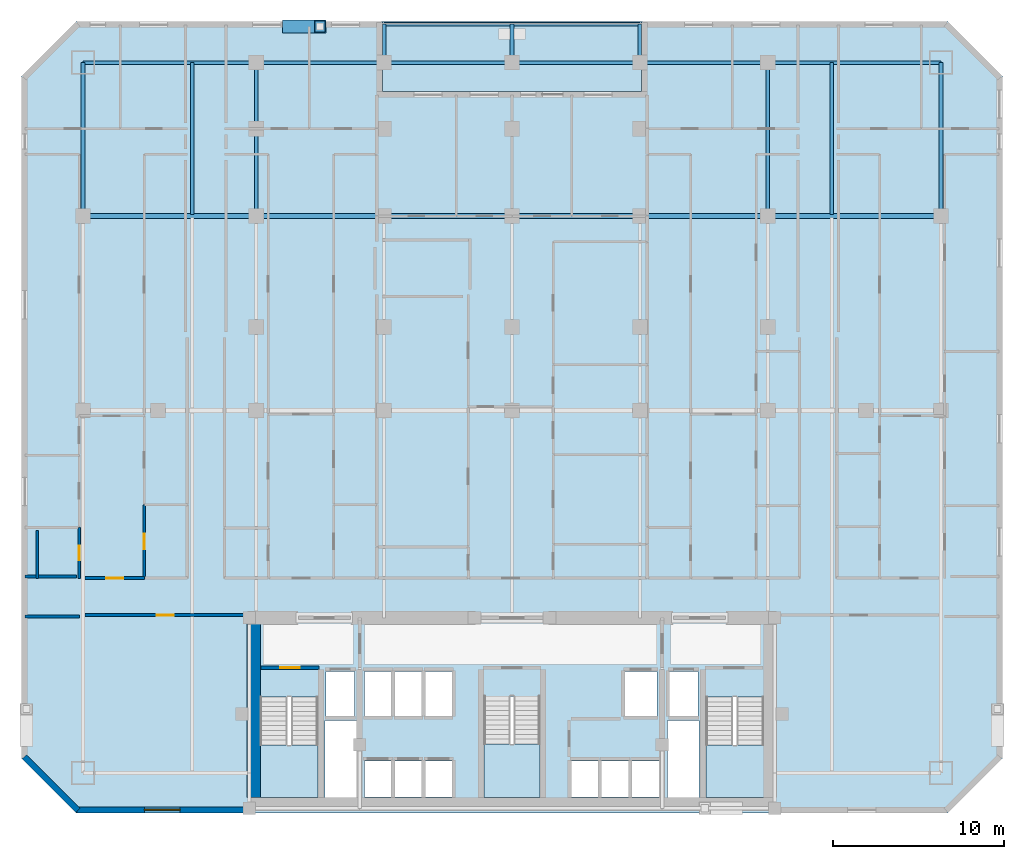
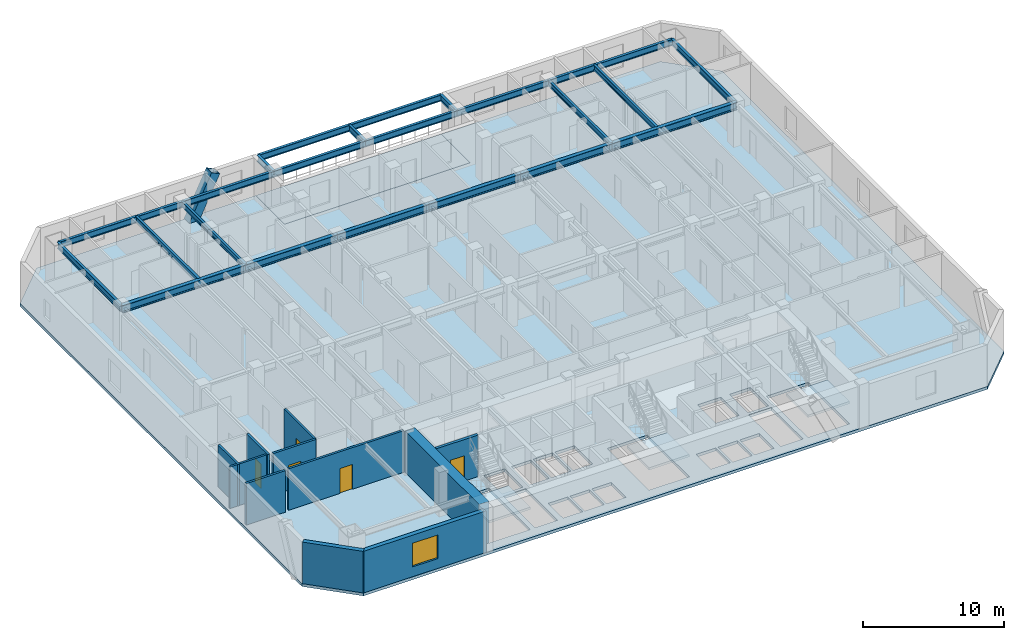
# One storey, part 2 of 10: 23 beams, 11 walls, 5 doors, 5 slabs, 1 member, 1 window, 6 openings, 3 elements without a shape of their own.
"""IFC4 building model written with IfcOpenShell, lengths in metres."""

import ifcopenshell
import ifcopenshell.guid

model = None  # the IFC model being written
_history = None  # IfcOwnerHistory: only IFC2X3 demands one
_inside = {}  # id of a spatial element -> (the spatial element, [elements in it])
_under = {}  # id of a project, library or spatial element -> (it, [spatial elements below it])
_declared = {}  # id of a project -> (the project, [libraries it declares])
_typed = {}  # id of a type object -> (the type object, [elements of that type])
_made_of = {}  # id of a material, layer set ... -> (it, [elements and type objects made of it])


def new_model(schema):
    """Start an empty IFC model of exactly this schema.

    Asked for "IFC4X3", IfcOpenShell would pick the latest addendum, in which some entities
    have other attributes; the version numbers below select the first issue.
    IFC2X3 requires an IfcOwnerHistory on every rooted entity: one is made here for all.
    """
    global model, _history
    if schema == "IFC4X3":
        model = ifcopenshell.file(schema_version=(4, 3, 0, 0))
    else:
        model = ifcopenshell.file(schema=schema)
    _inside.clear()
    _under.clear()
    _declared.clear()
    _typed.clear()
    _made_of.clear()
    _history = None
    if model.schema == "IFC2X3":
        org = make("IfcOrganization", Name="unknown")
        user = make(
            "IfcPersonAndOrganization",
            ThePerson=make("IfcPerson", FamilyName="unknown"),
            TheOrganization=org,
        )
        app = make(
            "IfcApplication",
            ApplicationDeveloper=org,
            Version="unknown",
            ApplicationFullName="unknown",
            ApplicationIdentifier="unknown",
        )
        _history = make(
            "IfcOwnerHistory",
            OwningUser=user,
            OwningApplication=app,
            ChangeAction="ADDED",
            CreationDate=0,
        )
    return model


def make(cls, **values):
    """One entity of the class cls with the attributes given. An attribute that is None is left unset."""
    return model.create_entity(
        cls, **{name: value for name, value in values.items() if value is not None}
    )


def rooted(cls, **values):
    """An entity with a GlobalId (a new one), such as an element, a storey or a relation."""
    return make(cls, GlobalId=ifcopenshell.guid.new(), OwnerHistory=_history, **values)


def si_unit(unit_type, name, prefix=None):
    """IfcSIUnit, for example si_unit("LENGTHUNIT", "METRE", prefix="MILLI")."""
    return make("IfcSIUnit", UnitType=unit_type, Prefix=prefix, Name=name)


def assignment(units):
    """IfcUnitAssignment: the units of a project."""
    return None if units is None else make("IfcUnitAssignment", Units=units)


def point(xyz):
    """IfcCartesianPoint."""
    return None if xyz is None else make("IfcCartesianPoint", Coordinates=xyz)


def direction(xyz):
    """IfcDirection."""
    return None if xyz is None else make("IfcDirection", DirectionRatios=xyz)


def frame(location, z_axis=None, x_axis=None):
    """IfcAxis2Placement3D, a coordinate frame: its origin and axes. An axis left out is left unset."""
    return make(
        "IfcAxis2Placement3D",
        Location=point(location),
        Axis=direction(z_axis),
        RefDirection=direction(x_axis),
    )


def frame_2d(location, x_axis=None):
    """IfcAxis2Placement2D, a coordinate frame in the plane: its origin and x axis."""
    return make(
        "IfcAxis2Placement2D", Location=point(location), RefDirection=direction(x_axis)
    )


def origin():
    """The frame at (0, 0, 0) with its axes left unset."""
    return frame((0.0, 0.0, 0.0))


def origin_2d():
    """The frame at (0, 0) in the plane with its x axis left unset."""
    return frame_2d((0.0, 0.0))


def place(relative_to, where):
    """IfcLocalPlacement: puts the frame where relative to a parent placement (None: the world)."""
    return make(
        "IfcLocalPlacement", PlacementRelTo=relative_to, RelativePlacement=where
    )


def context(
    kind, dimensions, precision=None, world=None, true_north=None, identifier=None
):
    """IfcGeometricRepresentationContext, for example the 3D "Model" context."""
    return make(
        "IfcGeometricRepresentationContext",
        ContextIdentifier=identifier,
        ContextType=kind,
        CoordinateSpaceDimension=dimensions,
        Precision=precision,
        WorldCoordinateSystem=world,
        TrueNorth=true_north,
    )


def subcontext(parent, identifier, kind, view, scale=None):
    """IfcGeometricRepresentationSubContext, for example "Body" below "Model"."""
    return make(
        "IfcGeometricRepresentationSubContext",
        ContextIdentifier=identifier,
        ContextType=kind,
        ParentContext=parent,
        TargetScale=scale,
        TargetView=view,
    )


def project(units=None, contexts=None):
    """IfcProject with its units and contexts."""
    return rooted(
        "IfcProject",
        Name="project",
        RepresentationContexts=contexts,
        UnitsInContext=assignment(units),
    )


def spatial(cls, under=None, at=None, **own):
    """A site, building, storey or space (cls), placed at a placement, below another one or the project."""
    s = rooted(cls, ObjectPlacement=at, **own)
    if under is not None:
        _under.setdefault(under.id(), (under, []))[1].append(s)
    return s


def polyline(points):
    """IfcPolyline through the points."""
    return make("IfcPolyline", Points=[point(p) for p in points])


def profile(cls, at=None, kind="AREA", **sizes):
    """A parametric profile (cls). Its sizes go by their IFC names, for example OverallWidth=200.0."""
    return make(cls, ProfileType=kind, Position=at, **sizes)


def rectangle(**sizes):
    """IfcRectangleProfileDef."""
    return profile("IfcRectangleProfileDef", **sizes)


def hollow_rectangle(**sizes):
    """IfcRectangleHollowProfileDef."""
    return profile("IfcRectangleHollowProfileDef", **sizes)


def i_section(**sizes):
    """IfcIShapeProfileDef."""
    return profile("IfcIShapeProfileDef", **sizes)


def outline(outer, holes=None, kind="AREA"):
    """IfcArbitraryClosedProfileDef: a profile drawn as a closed curve; with holes, ...WithVoids."""
    if holes is None:
        return make("IfcArbitraryClosedProfileDef", ProfileType=kind, OuterCurve=outer)
    return make(
        "IfcArbitraryProfileDefWithVoids",
        ProfileType=kind,
        OuterCurve=outer,
        InnerCurves=holes,
    )


def extrude(swept, where, along, depth):
    """IfcExtrudedAreaSolid: the profile swept, set in the frame where, extruded along a direction by depth."""
    return make(
        "IfcExtrudedAreaSolid",
        SweptArea=swept,
        Position=where,
        ExtrudedDirection=direction(along),
        Depth=depth,
    )


def shape(context_of_items, identifier, shape_type, items):
    """IfcShapeRepresentation: the items that make up one representation, for example the "Body"."""
    return make(
        "IfcShapeRepresentation",
        ContextOfItems=context_of_items,
        RepresentationIdentifier=identifier,
        RepresentationType=shape_type,
        Items=items,
    )


def material(Name=None, Category=None):
    """IfcMaterial."""
    return make("IfcMaterial", Name=Name, Category=Category)


def layer(
    of_material, thickness, ventilated=None, Name=None, Category=None, Priority=None
):
    """IfcMaterialLayer: one layer of a wall or slab, of a material (None: an air gap)."""
    return make(
        "IfcMaterialLayer",
        Material=of_material,
        LayerThickness=thickness,
        IsVentilated=ventilated,
        Name=Name,
        Category=Category,
        Priority=Priority,
    )


def layer_set(layers, Name=None):
    """IfcMaterialLayerSet."""
    return make("IfcMaterialLayerSet", MaterialLayers=layers, LayerSetName=Name)


def material_profile(
    of_material, cross_section, Name=None, Category=None, Priority=None
):
    """IfcMaterialProfile: a cross section and its material."""
    return make(
        "IfcMaterialProfile",
        Name=Name,
        Material=of_material,
        Profile=cross_section,
        Priority=Priority,
        Category=Category,
    )


def profile_set(profiles, Name=None, composite=None):
    """IfcMaterialProfileSet."""
    return make(
        "IfcMaterialProfileSet",
        Name=Name,
        MaterialProfiles=profiles,
        CompositeProfile=composite,
    )


def made_of(thing, what):
    """Note that an element or type object is made of a material, layer set ...; save() writes the relation."""
    if what is not None:
        _made_of.setdefault(what.id(), (what, []))[1].append(thing)
    return thing


def type_object(cls, material=None, **own):
    """A type object (cls), such as IfcWallType, which elements share."""
    return made_of(rooted(cls, **own), material)


def element(
    cls,
    number,
    at=None,
    inside=None,
    cuts=None,
    type_object=None,
    material=None,
    context=None,
    identifier="Body",
    shape_type=None,
    held_by="IfcProductDefinitionShape",
    body=None,
    shapes=None,
    **own,
):
    """One element of the class cls, such as IfcWall. Its Tag is "e" and its number.

    at: its placement. inside: the storey or other place that contains it. cuts: it is an
    opening in that element (IfcRelVoidsElement). A single representation is given by context,
    identifier, shape_type and body (its items); several are given by shapes. held_by: the class
    of the entity that holds the representations. save() writes the other relations.
    """
    e = rooted(cls, Tag="e%d" % number, ObjectPlacement=at, **own)
    if body is not None:
        shapes = [shape(context, identifier, shape_type, body)]
    if shapes is not None:
        e.Representation = make(held_by, Representations=shapes)
    if inside is not None:
        _inside.setdefault(inside.id(), (inside, []))[1].append(e)
    if cuts is not None:
        rooted(
            "IfcRelVoidsElement", RelatingBuildingElement=cuts, RelatedOpeningElement=e
        )
    if type_object is not None:
        _typed.setdefault(type_object.id(), (type_object, []))[1].append(e)
    return made_of(e, material)


def fill(opening, filler):
    """IfcRelFillsElement: the door or window that sits in an opening."""
    return rooted(
        "IfcRelFillsElement",
        RelatingOpeningElement=opening,
        RelatedBuildingElement=filler,
    )


def aggregate(whole, parts):
    """IfcRelAggregates: a whole, such as a stair, and the parts it consists of."""
    return rooted("IfcRelAggregates", RelatingObject=whole, RelatedObjects=parts)


def save(model, path):
    """Write the relations noted so far, then the file.

    IfcRelAggregates (storeys below a building ...), IfcRelContainedInSpatialStructure (elements
    in a storey), IfcRelDefinesByType, IfcRelAssociatesMaterial and IfcRelDeclares: one each for
    every whole, place, type object, material and project.
    """
    for whole, parts in _under.values():
        aggregate(whole, parts)
    for where, things in _inside.values():
        rooted(
            "IfcRelContainedInSpatialStructure",
            RelatedElements=things,
            RelatingStructure=where,
        )
    for kind, things in _typed.values():
        rooted("IfcRelDefinesByType", RelatedObjects=things, RelatingType=kind)
    for what, things in _made_of.values():
        rooted("IfcRelAssociatesMaterial", RelatedObjects=things, RelatingMaterial=what)
    for by, libraries in _declared.values():
        rooted("IfcRelDeclares", RelatingContext=by, RelatedDefinitions=libraries)
    model.write(path)


model = new_model("IFC4")

# Units and contexts
model_context = context("Model", 3, precision=1e-05, world=origin(), true_north=direction((0.0, 1.0)))
body_context = subcontext(model_context, "Body", "Model", "MODEL_VIEW")
ifc_project = project(units=[si_unit("LENGTHUNIT", "METRE"), si_unit("AREAUNIT", "SQUARE_METRE"), si_unit("VOLUMEUNIT", "CUBIC_METRE"), si_unit("PLANEANGLEUNIT", "RADIAN"), si_unit("MASSUNIT", "GRAM", prefix="KILO")], contexts=[model_context])

# Site, building, storey
site_placement = place(None, origin())
site = spatial("IfcSite", under=ifc_project, at=site_placement, CompositionType="ELEMENT")
building_placement = place(site_placement, origin())
building = spatial("IfcBuilding", under=site, at=building_placement, Name="Ventersveld Concourse Tower", CompositionType="ELEMENT")
storey_placement = place(building_placement, frame((0.0, 0.0, 64.449951171875)))
storey = spatial("IfcBuildingStorey", under=building, at=storey_placement, Name="L15", CompositionType="ELEMENT", Elevation=64.449951171875)

# Beams
ifc_material_1 = material(Name="Structural steel S355J2", Category="steel")
ifc_material_profile_1 = material_profile(ifc_material_1, i_section(OverallWidth=0.19140625, OverallDepth=0.4599609375, WebThickness=0.010009765625, FlangeThickness=0.01611328125, FilletRadius=0.01025390625, at=origin_2d()), Name="UB 457x191x82")
ifc_profile_set_1 = profile_set([ifc_material_profile_1], Name="Structural steel S355J2")
beam_type_1 = type_object("IfcBeamType", Name="BM-UB457H", PredefinedType="BEAM", material=ifc_profile_set_1)
beam_1_placement = place(storey_placement, frame((10.0, 35.094970703125, 3.3701171875), z_axis=(0.0, 1.0, 0.0), x_axis=(-1.0, 0.0, 0.0)))
element("IfcBeam", 1, at=beam_1_placement, inside=storey, type_object=beam_type_1, Name="L15 N-S Composite Floor Beam North X=10.00", PredefinedType="BEAM", context=body_context, shape_type="SweptSolid", body=[
    extrude(i_section(OverallWidth=0.19140625, OverallDepth=0.4599609375, WebThickness=0.010009765625, FlangeThickness=0.01611328125, FilletRadius=0.01025390625, at=origin_2d()), origin(), (0.0, 0.0, 1.0), 8.905029296875),
])
for number, where, z_axis, x_axis, name in (
    (2, (13.75, 35.0, 3.3701171875), (0.0, 1.0, 0.0), (-1.0, 0.0, 0.0), "L15 N-S Composite Floor Beam North X=13.75"),
    (3, (43.75, 35.0, 3.3701171875), (0.0, 1.0, 0.0), (-1.0, 0.0, 0.0), "L15 N-S Composite Floor Beam North X=43.75"),
):
    element("IfcBeam", number, at=place(storey_placement, frame(where, z_axis=z_axis, x_axis=x_axis)), inside=storey, type_object=beam_type_1, Name=name, PredefinedType="BEAM", context=body_context, shape_type="SweptSolid", body=[
        extrude(i_section(OverallWidth=0.19140625, OverallDepth=0.4599609375, WebThickness=0.010009765625, FlangeThickness=0.01611328125, FilletRadius=0.01025390625, at=origin_2d()), origin(), (0.0, 0.0, 1.0), 9.0),
    ])
beam_2_placement = place(storey_placement, frame((47.5, 35.094970703125, 3.3701171875), z_axis=(0.0, 1.0, 0.0), x_axis=(-1.0, 0.0, 0.0)))
element("IfcBeam", 4, at=beam_2_placement, inside=storey, type_object=beam_type_1, Name="L15 N-S Composite Floor Beam North X=47.50", PredefinedType="BEAM", context=body_context, shape_type="SweptSolid", body=[
    extrude(i_section(OverallWidth=0.19140625, OverallDepth=0.4599609375, WebThickness=0.010009765625, FlangeThickness=0.01611328125, FilletRadius=0.01025390625, at=origin_2d()), origin(), (0.0, 0.0, 1.0), 8.905029296875),
])
ifc_material_profile_2 = material_profile(ifc_material_1, i_section(OverallWidth=0.311279296875, OverallDepth=0.6357421875, WebThickness=0.018310546875, FlangeThickness=0.031494140625, FilletRadius=0.0166015625, at=origin_2d()), Name="UB 610x305x238")
ifc_profile_set_2 = profile_set([ifc_material_profile_2], Name="Structural steel S355J2")
beam_type_2 = type_object("IfcBeamType", Name="GRD-UB610H", PredefinedType="USERDEFINED", material=ifc_profile_set_2)
beam_3_placement = place(storey_placement, frame((3.60009765625, 35.0, 3.2822265625), z_axis=(1.0, 0.0, 0.0), x_axis=(0.0, 1.0, 0.0)))
element("IfcBeam", 5, at=beam_3_placement, inside=storey, type_object=beam_type_2, Name="L15 E-W Grid Girder Y=35.00 #1", ObjectType="GIRDER", PredefinedType="USERDEFINED", context=body_context, shape_type="SweptSolid", body=[
    extrude(i_section(OverallWidth=0.311279296875, OverallDepth=0.6357421875, WebThickness=0.018310546875, FlangeThickness=0.031494140625, FilletRadius=0.0166015625, at=origin_2d()), origin(), (0.0, 0.0, 1.0), 10.14990234375),
])
for number, where, z_axis, x_axis, name in (
    (6, (13.75, 35.0, 3.2822265625), (1.0, 0.0, 0.0), (0.0, 1.0, 0.0), "L15 E-W Grid Girder Y=35.00 #2"),
    (7, (21.25, 35.0, 3.2822265625), (1.0, 0.0, 0.0), (0.0, 1.0, 0.0), "L15 E-W Grid Girder Y=35.00 #3"),
    (8, (28.75, 35.0, 3.2822265625), (1.0, 0.0, 0.0), (0.0, 1.0, 0.0), "L15 E-W Grid Girder Y=35.00 #4"),
    (9, (36.25, 35.0, 3.2822265625), (1.0, 0.0, 0.0), (0.0, 1.0, 0.0), "L15 E-W Grid Girder Y=35.00 #5"),
):
    element("IfcBeam", number, at=place(storey_placement, frame(where, z_axis=z_axis, x_axis=x_axis)), inside=storey, type_object=beam_type_2, Name=name, ObjectType="GIRDER", PredefinedType="USERDEFINED", context=body_context, shape_type="SweptSolid", body=[
        extrude(i_section(OverallWidth=0.311279296875, OverallDepth=0.6357421875, WebThickness=0.018310546875, FlangeThickness=0.031494140625, FilletRadius=0.0166015625, at=origin_2d()), origin(), (0.0, 0.0, 1.0), 7.5),
    ])
beam_4_placement = place(storey_placement, frame((43.75, 35.0, 3.2822265625), z_axis=(1.0, 0.0, 0.0), x_axis=(0.0, 1.0, 0.0)))
element("IfcBeam", 10, at=beam_4_placement, inside=storey, type_object=beam_type_2, Name="L15 E-W Grid Girder Y=35.00 #6", ObjectType="GIRDER", PredefinedType="USERDEFINED", context=body_context, shape_type="SweptSolid", body=[
    extrude(i_section(OverallWidth=0.311279296875, OverallDepth=0.6357421875, WebThickness=0.018310546875, FlangeThickness=0.031494140625, FilletRadius=0.0166015625, at=origin_2d()), origin(), (0.0, 0.0, 1.0), 10.14990234375),
])

# Member
ifc_material_2 = material(Name="Structural steel S355ML", Category="steel")
ifc_material_profile_3 = material_profile(ifc_material_2, hollow_rectangle(XDim=0.75, YDim=0.75, WallThickness=0.044921875, at=origin_2d()), Name="BOX 750x750x45")
ifc_profile_set_3 = profile_set([ifc_material_profile_3], Name="Structural steel S355ML")
member_type = type_object("IfcMemberType", Name="MB-750x750", PredefinedType="BRACE", material=ifc_profile_set_3)
member_placement = place(storey_placement, frame((15.625, 46.1201171875, -0.25), z_axis=(0.437839464193, 0.0, 0.899053170616), x_axis=(0.0, 1.0, 0.0)))
element("IfcMember", 11, at=member_placement, inside=storey, type_object=member_type, Name="L15 Exterior Mega-Brace N (Module M03)", PredefinedType="BRACE", context=body_context, shape_type="SweptSolid", body=[
    extrude(hollow_rectangle(XDim=0.75, YDim=0.75, WallThickness=0.044921875, at=origin_2d()), origin(), (0.0, 0.0, 1.0), 4.282470703125),
])

# Beams
ifc_material_profile_4 = material_profile(ifc_material_1, i_section(OverallWidth=0.2119140625, OverallDepth=0.54443359375, WebThickness=0.0126953125, FlangeThickness=0.021240234375, FilletRadius=0.0126953125, at=origin_2d()), Name="UB 533x210x122")
ifc_profile_set_4 = profile_set([ifc_material_profile_4], Name="Structural steel S355J2")
beam_type_3 = type_object("IfcBeamType", Name="SPD-UB533", PredefinedType="SPANDREL", material=ifc_profile_set_4)
for number, where, z_axis, x_axis, name in (
    (12, (3.60009765625, 35.0, 3.32763671875), (0.0, 1.0, 0.0), (-1.0, 0.0, 0.0), "L15 West Spandrel Beam N"),
    (13, (53.89990234375, 35.0, 3.32763671875), (0.0, 1.0, 0.0), (-1.0, 0.0, 0.0), "L15 East Spandrel Beam N"),
):
    element("IfcBeam", number, at=place(storey_placement, frame(where, z_axis=z_axis, x_axis=x_axis)), inside=storey, type_object=beam_type_3, Name=name, PredefinedType="SPANDREL", context=body_context, shape_type="SweptSolid", body=[
        extrude(i_section(OverallWidth=0.2119140625, OverallDepth=0.54443359375, WebThickness=0.0126953125, FlangeThickness=0.021240234375, FilletRadius=0.0126953125, at=origin_2d()), origin(), (0.0, 0.0, 1.0), 9.0),
    ])
for number, where, z_axis, x_axis, name in (
    (14, (21.25, 44.0, 3.32763671875), (0.0, 1.0, 0.0), (-1.0, 0.0, 0.0), "L15 Terrace Bracket W"),
    (15, (28.75, 44.0, 3.32763671875), (0.0, 1.0, 0.0), (-1.0, 0.0, 0.0), "L15 Terrace Bracket C"),
    (16, (36.25, 44.0, 3.32763671875), (0.0, 1.0, 0.0), (-1.0, 0.0, 0.0), "L15 Terrace Bracket E"),
):
    element("IfcBeam", number, at=place(storey_placement, frame(where, z_axis=z_axis, x_axis=x_axis)), inside=storey, type_object=beam_type_3, Name=name, PredefinedType="SPANDREL", context=body_context, shape_type="SweptSolid", body=[
        extrude(i_section(OverallWidth=0.2119140625, OverallDepth=0.54443359375, WebThickness=0.0126953125, FlangeThickness=0.021240234375, FilletRadius=0.0126953125, at=origin_2d()), origin(), (0.0, 0.0, 1.0), 2.25),
    ])
for number, where, z_axis, x_axis, name in (
    (17, (21.25, 46.25, 3.32763671875), (1.0, 0.0, 0.0), (0.0, 1.0, 0.0), "L15 Terrace Edge Spandrel W"),
    (18, (28.75, 46.25, 3.32763671875), (1.0, 0.0, 0.0), (0.0, 1.0, 0.0), "L15 Terrace Edge Spandrel E"),
):
    element("IfcBeam", number, at=place(storey_placement, frame(where, z_axis=z_axis, x_axis=x_axis)), inside=storey, type_object=beam_type_3, Name=name, PredefinedType="SPANDREL", context=body_context, shape_type="SweptSolid", body=[
        extrude(i_section(OverallWidth=0.2119140625, OverallDepth=0.54443359375, WebThickness=0.0126953125, FlangeThickness=0.021240234375, FilletRadius=0.0126953125, at=origin_2d()), origin(), (0.0, 0.0, 1.0), 7.5),
    ])
beam_5_placement = place(storey_placement, frame((3.60009765625, 44.0, 3.32763671875), z_axis=(1.0, 0.0, 0.0), x_axis=(0.0, 1.0, 0.0)))
element("IfcBeam", 19, at=beam_5_placement, inside=storey, type_object=beam_type_3, Name="L15 North Spandrel Girder Y=44.00 #1", PredefinedType="SPANDREL", context=body_context, shape_type="SweptSolid", body=[
    extrude(i_section(OverallWidth=0.2119140625, OverallDepth=0.54443359375, WebThickness=0.0126953125, FlangeThickness=0.021240234375, FilletRadius=0.0126953125, at=origin_2d()), origin(), (0.0, 0.0, 1.0), 10.14990234375),
])
for number, where, z_axis, x_axis, name in (
    (20, (13.75, 44.0, 3.32763671875), (1.0, 0.0, 0.0), (0.0, 1.0, 0.0), "L15 North Spandrel Girder Y=44.00 #2"),
    (21, (21.25, 44.0, 3.32763671875), (1.0, 0.0, 0.0), (0.0, 1.0, 0.0), "L15 North Spandrel Girder Y=44.00 #3"),
    (22, (28.75, 44.0, 3.32763671875), (1.0, 0.0, 0.0), (0.0, 1.0, 0.0), "L15 North Spandrel Girder Y=44.00 #4"),
    (23, (36.25, 44.0, 3.32763671875), (1.0, 0.0, 0.0), (0.0, 1.0, 0.0), "L15 North Spandrel Girder Y=44.00 #5"),
):
    element("IfcBeam", number, at=place(storey_placement, frame(where, z_axis=z_axis, x_axis=x_axis)), inside=storey, type_object=beam_type_3, Name=name, PredefinedType="SPANDREL", context=body_context, shape_type="SweptSolid", body=[
        extrude(i_section(OverallWidth=0.2119140625, OverallDepth=0.54443359375, WebThickness=0.0126953125, FlangeThickness=0.021240234375, FilletRadius=0.0126953125, at=origin_2d()), origin(), (0.0, 0.0, 1.0), 7.5),
    ])
beam_6_placement = place(storey_placement, frame((43.75, 44.0, 3.32763671875), z_axis=(1.0, 0.0, 0.0), x_axis=(0.0, 1.0, 0.0)))
element("IfcBeam", 24, at=beam_6_placement, inside=storey, type_object=beam_type_3, Name="L15 North Spandrel Girder Y=44.00 #6", PredefinedType="SPANDREL", context=body_context, shape_type="SweptSolid", body=[
    extrude(i_section(OverallWidth=0.2119140625, OverallDepth=0.54443359375, WebThickness=0.0126953125, FlangeThickness=0.021240234375, FilletRadius=0.0126953125, at=origin_2d()), origin(), (0.0, 0.0, 1.0), 10.14990234375),
])

# Slabs
ifc_material_3 = material(Name="Concrete C50/60", Category="concrete")
ifc_layer_1 = layer(ifc_material_3, 0.25)
ifc_layer_set_1 = layer_set([ifc_layer_1], Name="Concrete C50/60")
slab_type_1 = type_object("IfcSlabType", Name="SL-FLR-250", PredefinedType="FLOOR", material=ifc_layer_set_1)
slab_1_placement = place(storey_placement, frame((0.0, 0.0, -0.25)))
element("IfcSlab", 25, at=slab_1_placement, inside=storey, type_object=slab_type_1, Name="L15 Composite Floor Slab", PredefinedType="FLOOR", context=body_context, shape_type="SweptSolid", body=[
    extrude(outline(polyline([(3.199951171875, 0.0), (54.300048828125, 0.0), (57.5, 3.199951171875), (57.5, 43.199951171875), (54.300048828125, 46.39990234375), (36.35009765625, 46.39990234375), (36.35009765625, 42.300048828125), (21.14990234375, 42.300048828125), (21.14990234375, 46.39990234375), (3.199951171875, 46.39990234375), (0.0, 43.199951171875), (0.0, 3.199951171875), (3.199951171875, 0.0)]), holes=[polyline([(13.97998046875, 6.794921875), (13.97998046875, 0.89990234375), (17.3798828125, 0.89990234375), (17.3798828125, 6.794921875), (13.97998046875, 6.794921875)]), polyline([(40.1201171875, 6.794921875), (40.1201171875, 0.89990234375), (43.52001953125, 0.89990234375), (43.52001953125, 6.794921875), (40.1201171875, 6.794921875)]), polyline([(27.10009765625, 6.844970703125), (27.10009765625, 0.89990234375), (30.39990234375, 0.89990234375), (30.39990234375, 6.844970703125), (27.10009765625, 6.844970703125)]), polyline([(17.85009765625, 5.699951171875), (19.530029296875, 5.699951171875), (19.530029296875, 8.300048828125), (17.85009765625, 8.300048828125), (17.85009765625, 5.699951171875)]), polyline([(37.969970703125, 5.699951171875), (39.64990234375, 5.699951171875), (39.64990234375, 8.300048828125), (37.969970703125, 8.300048828125), (37.969970703125, 5.699951171875)]), polyline([(35.35009765625, 5.699951171875), (37.25, 5.699951171875), (37.25, 8.300048828125), (35.35009765625, 8.300048828125), (35.35009765625, 5.699951171875)]), polyline([(20.090087890625, 0.949951171875), (21.68994140625, 0.949951171875), (21.68994140625, 3.050048828125), (20.090087890625, 3.050048828125), (20.090087890625, 0.949951171875)]), polyline([(21.8701171875, 0.949951171875), (23.469970703125, 0.949951171875), (23.469970703125, 3.050048828125), (21.8701171875, 3.050048828125), (21.8701171875, 0.949951171875)]), polyline([(23.64990234375, 0.949951171875), (25.25, 0.949951171875), (25.25, 3.050048828125), (23.64990234375, 3.050048828125), (23.64990234375, 0.949951171875)]), polyline([(32.2099609375, 0.949951171875), (33.81005859375, 0.949951171875), (33.81005859375, 3.050048828125), (32.2099609375, 3.050048828125), (32.2099609375, 0.949951171875)]), polyline([(33.989990234375, 0.949951171875), (35.590087890625, 0.949951171875), (35.590087890625, 3.050048828125), (33.989990234375, 3.050048828125), (33.989990234375, 0.949951171875)]), polyline([(35.77001953125, 0.949951171875), (37.3701171875, 0.949951171875), (37.3701171875, 3.050048828125), (35.77001953125, 3.050048828125), (35.77001953125, 0.949951171875)]), polyline([(20.090087890625, 5.699951171875), (21.68994140625, 5.699951171875), (21.68994140625, 8.300048828125), (20.090087890625, 8.300048828125), (20.090087890625, 5.699951171875)]), polyline([(21.8701171875, 5.699951171875), (23.469970703125, 5.699951171875), (23.469970703125, 8.300048828125), (21.8701171875, 8.300048828125), (21.8701171875, 5.699951171875)]), polyline([(23.64990234375, 5.699951171875), (25.25, 5.699951171875), (25.25, 8.300048828125), (23.64990234375, 8.300048828125), (23.64990234375, 5.699951171875)]), polyline([(17.780029296875, 0.919921875), (19.6201171875, 0.919921875), (19.6201171875, 5.419921875), (17.780029296875, 5.419921875), (17.780029296875, 0.919921875)]), polyline([(37.8798828125, 0.919921875), (39.719970703125, 0.919921875), (39.719970703125, 5.419921875), (37.8798828125, 5.419921875), (37.8798828125, 0.919921875)])]), origin(), (0.0, 0.0, 1.0), 0.25),
])
slab_2_placement = place(storey_placement, frame((0.0, 0.0, -0.25)))
element("IfcSlab", 26, at=slab_2_placement, inside=storey, type_object=slab_type_1, Name="L15 Outdoor Terrace Slab NOTCH-N", PredefinedType="FLOOR", context=body_context, shape_type="SweptSolid", body=[
    extrude(outline(polyline([(21.14990234375, 42.300048828125), (36.35009765625, 42.300048828125), (36.35009765625, 46.39990234375), (21.14990234375, 46.39990234375), (21.14990234375, 42.300048828125)])), origin(), (0.0, 0.0, 1.0), 0.25),
])

# Stair, slab
stair_type_1 = type_object("IfcStairType", Name="ST-DOG-160", PredefinedType="HALF_TURN_STAIR", material=ifc_material_3)
stair_1_placement = place(storey_placement, origin())
stair_1 = element("IfcStair", 27, at=stair_1_placement, inside=storey, type_object=stair_type_1, Name="L15 Protected Tower Escape Stair ST-01", PredefinedType="HALF_TURN_STAIR")
ifc_layer_2 = layer(ifc_material_3, 0.199951171875)
ifc_layer_set_2 = layer_set([ifc_layer_2], Name="Concrete C50/60")
slab_type_2 = type_object("IfcSlabType", Name="SL-LND-200", PredefinedType="LANDING", material=ifc_layer_set_2)
slab_3_placement = place(storey_placement, frame((0.0, 0.0, 1.72509765625)))
slab_3 = element("IfcSlab", 28, at=slab_3_placement, type_object=slab_type_2, Name="ST-01 landing 1", PredefinedType="LANDING", context=body_context, shape_type="SweptSolid", body=[
    extrude(outline(polyline([(13.97998046875, 4.0), (13.97998046875, 0.89990234375), (17.3798828125, 0.89990234375), (17.3798828125, 4.0), (13.97998046875, 4.0)])), origin(), (0.0, 0.0, 1.0), 0.199951171875),
])
aggregate(stair_1, [slab_3])

stair_2_placement = place(storey_placement, origin())
stair_2 = element("IfcStair", 29, at=stair_2_placement, inside=storey, type_object=stair_type_1, Name="L15 Protected Tower Escape Stair ST-02", PredefinedType="HALF_TURN_STAIR")
slab_4_placement = place(storey_placement, frame((0.0, 0.0, 1.72509765625)))
slab_4 = element("IfcSlab", 30, at=slab_4_placement, type_object=slab_type_2, Name="ST-02 landing 1", PredefinedType="LANDING", context=body_context, shape_type="SweptSolid", body=[
    extrude(outline(polyline([(40.1201171875, 4.0), (40.1201171875, 0.89990234375), (43.52001953125, 0.89990234375), (43.52001953125, 4.0), (40.1201171875, 4.0)])), origin(), (0.0, 0.0, 1.0), 0.199951171875),
])
aggregate(stair_2, [slab_4])

stair_type_2 = type_object("IfcStairType", Name="ST-DOG-155", PredefinedType="HALF_TURN_STAIR", material=ifc_material_3)
stair_3_placement = place(storey_placement, origin())
stair_3 = element("IfcStair", 31, at=stair_3_placement, inside=storey, type_object=stair_type_2, Name="L15 Protected Central Core Escape Stair ST-03", PredefinedType="HALF_TURN_STAIR")
slab_5_placement = place(storey_placement, frame((0.0, 0.0, 1.72509765625)))
slab_5 = element("IfcSlab", 32, at=slab_5_placement, type_object=slab_type_2, Name="ST-03 landing 1", PredefinedType="LANDING", context=body_context, shape_type="SweptSolid", body=[
    extrude(outline(polyline([(27.10009765625, 4.050048828125), (27.10009765625, 0.89990234375), (30.39990234375, 0.89990234375), (30.39990234375, 4.050048828125), (27.10009765625, 4.050048828125)])), origin(), (0.0, 0.0, 1.0), 0.199951171875),
])
aggregate(stair_3, [slab_5])

# Wall
ifc_material_4 = material(Name="Concrete C60/75", Category="concrete")
ifc_layer_3 = layer(ifc_material_4, 0.800048828125)
ifc_layer_set_3 = layer_set([ifc_layer_3], Name="Concrete C60/75")
wall_type_1 = type_object("IfcWallType", Name="WL-CORE-800", PredefinedType="SHEAR", material=ifc_layer_set_3)
wall_1_placement = place(storey_placement, frame((13.60009765625, 0.919921875, 0.0), z_axis=(0.0, 0.0, 1.0), x_axis=(0.0, 1.0, 0.0)))
element("IfcWall", 33, at=wall_1_placement, inside=storey, type_object=wall_type_1, Name="L15 Rear Core West Shear Wall", PredefinedType="SHEAR", context=body_context, shape_type="SweptSolid", body=[
    extrude(rectangle(XDim=10.530029296875, YDim=0.800048828125, at=frame_2d((5.26513671875, 0.0))), origin(), (0.0, 0.0, 1.0), 3.60009765625),
])

# Wall, opening, door
ifc_material_5 = material(Name="Fire-rated autoclaved aerated masonry blockwork", Category="masonry")
ifc_layer_4 = layer(ifc_material_5, 0.179931640625)
ifc_layer_set_4 = layer_set([ifc_layer_4], Name="Fire-rated autoclaved aerated masonry blockwork")
wall_type_2 = type_object("IfcWallType", Name="WL-CORR-180", PredefinedType="PARTITIONING", material=ifc_layer_set_4)
wall_2_placement = place(storey_placement, frame((3.705078125, 11.60009765625, 0.0), z_axis=(0.0, 0.0, 1.0), x_axis=(1.0, 0.0, 0.0)))
wall_2 = element("IfcWall", 34, at=wall_2_placement, inside=storey, type_object=wall_type_2, Name="L15 Interior Partition SP-L15-SW-GAL-SP-L15-COR", PredefinedType="PARTITIONING", context=body_context, shape_type="SweptSolid", body=[
    extrude(rectangle(XDim=9.43994140625, YDim=0.179931640625, at=frame_2d((4.719970703125, 0.0))), origin(), (0.0, 0.0, 1.0), 3.60009765625),
])
opening_1_placement = place(wall_2_placement, frame((4.219970703125, 0.0, 0.0)))
opening_1 = element("IfcOpeningElement", 35, at=opening_1_placement, cuts=wall_2, Name="Opening FD3", PredefinedType="OPENING", context=body_context, shape_type="SweptSolid", body=[
    extrude(rectangle(XDim=1.0, YDim=2.14990234375, at=frame_2d((0.5, 1.074951171875))), frame((0.0, 0.10009765625, 0.0), z_axis=(0.0, -1.0, 0.0), x_axis=(1.0, 0.0, 0.0)), (0.0, 0.0, 1.0), 0.199951171875),
])
ifc_material_6 = material(Name="Solid-core hardwood veneer timber", Category="wood")
door_type_1 = type_object("IfcDoorType", Name="DR-FLAT-100", OperationType="NOTDEFINED", PredefinedType="DOOR", material=ifc_material_6)
door_1_placement = place(opening_1_placement, origin())
door_1 = element("IfcDoor", 36, at=door_1_placement, inside=storey, type_object=door_type_1, Name="L15 Interior Door SP-L15-SW-GAL to SP-L15-COR (D-L15-0655)", OperationType="SINGLE_SWING_LEFT", OverallHeight=2.14990234375, OverallWidth=1.0, PredefinedType="DOOR", context=body_context, shape_type="SweptSolid", body=[
    extrude(rectangle(XDim=1.0, YDim=2.14990234375, at=frame_2d((0.5, 1.074951171875))), frame((0.0, 0.02490234375, 0.0), z_axis=(0.0, -1.0, 0.0), x_axis=(1.0, 0.0, 0.0)), (0.0, 0.0, 1.0), 0.050048828125),
])
fill(opening_1, door_1)

wall_3_placement = place(storey_placement, frame((3.705078125, 13.77001953125, 0.0), z_axis=(0.0, 0.0, 1.0), x_axis=(1.0, 0.0, 0.0)))
wall_3 = element("IfcWall", 37, at=wall_3_placement, inside=storey, type_object=wall_type_2, Name="L15 Interior Partition SP-L15-COR-SP-L15-15NW-FOY", PredefinedType="PARTITIONING", context=body_context, shape_type="SweptSolid", body=[
    extrude(rectangle(XDim=3.4990234375, YDim=0.179931640625, at=frame_2d((1.74951171875, 0.0))), origin(), (0.0, 0.0, 1.0), 3.60009765625),
])
opening_2_placement = place(wall_3_placement, frame((1.24951171875, 0.0, 0.0)))
opening_2 = element("IfcOpeningElement", 38, at=opening_2_placement, cuts=wall_3, Name="Opening FD3", PredefinedType="OPENING", context=body_context, shape_type="SweptSolid", body=[
    extrude(rectangle(XDim=1.0, YDim=2.14990234375, at=frame_2d((0.5, 1.074951171875))), frame((0.0, 0.10009765625, 0.0), z_axis=(0.0, -1.0, 0.0), x_axis=(1.0, 0.0, 0.0)), (0.0, 0.0, 1.0), 0.199951171875),
])
door_2_placement = place(opening_2_placement, origin())
door_2 = element("IfcDoor", 39, at=door_2_placement, inside=storey, type_object=door_type_1, Name="L15 Interior Door SP-L15-COR to SP-L15-15NW-FOY (FD-L15-0657)", OperationType="SINGLE_SWING_LEFT", OverallHeight=2.14990234375, OverallWidth=1.0, PredefinedType="DOOR", context=body_context, shape_type="SweptSolid", body=[
    extrude(rectangle(XDim=1.0, YDim=2.14990234375, at=frame_2d((0.5, 1.074951171875))), frame((0.0, 0.02490234375, 0.0), z_axis=(0.0, -1.0, 0.0), x_axis=(1.0, 0.0, 0.0)), (0.0, 0.0, 1.0), 0.050048828125),
])
fill(opening_2, door_2)

# Wall
wall_4_placement = place(storey_placement, frame((0.2099609375, 11.52001953125, 0.0), z_axis=(0.0, 0.0, 1.0), x_axis=(1.0, 0.0, 0.0)))
element("IfcWall", 40, at=wall_4_placement, inside=storey, type_object=wall_type_2, Name="L15 Room Enclosure Wall SP-L15-SW-GAL", PredefinedType="PARTITIONING", context=body_context, shape_type="SweptSolid", body=[
    extrude(rectangle(XDim=3.177734375, YDim=0.179931640625, at=frame_2d((1.5888671875, 0.0))), origin(), (0.0, 0.0, 1.0), 3.60009765625),
])

# Wall, opening, door
ifc_layer_5 = layer(ifc_material_5, 0.219970703125)
ifc_layer_set_5 = layer_set([ifc_layer_5], Name="Fire-rated autoclaved aerated masonry blockwork")
wall_type_3 = type_object("IfcWallType", Name="WL-HOIST-220", PredefinedType="SOLIDWALL", material=ifc_layer_set_5)
wall_5_placement = place(storey_placement, frame((14.0400390625, 8.52001953125, 0.0), z_axis=(0.0, 0.0, 1.0), x_axis=(1.0, 0.0, 0.0)))
wall_5 = element("IfcWall", 41, at=wall_5_placement, inside=storey, type_object=wall_type_3, Name="L15 Escape Stair ST01 Fire Wall", PredefinedType="SOLIDWALL", context=body_context, shape_type="SweptSolid", body=[
    extrude(rectangle(XDim=3.39990234375, YDim=0.219970703125, at=frame_2d((1.699951171875, 0.0))), origin(), (0.0, 0.0, 1.0), 3.60009765625),
])
opening_3_placement = place(wall_5_placement, frame((1.125, 0.0, 0.0)))
opening_3 = element("IfcOpeningElement", 42, at=opening_3_placement, cuts=wall_5, Name="Opening FD1", PredefinedType="OPENING", context=body_context, shape_type="SweptSolid", body=[
    extrude(rectangle(XDim=1.14990234375, YDim=2.199951171875, at=frame_2d((0.574951171875, 1.10009765625))), frame((0.0, 0.1201171875, 0.0), z_axis=(0.0, -1.0, 0.0), x_axis=(1.0, 0.0, 0.0)), (0.0, 0.0, 1.0), 0.239990234375),
])
ifc_material_7 = material(Name="Galvanised painted steel", Category="steel")
door_type_2 = type_object("IfcDoorType", Name="DR-STAIR-115", OperationType="NOTDEFINED", PredefinedType="DOOR", material=ifc_material_7)
door_3_placement = place(opening_3_placement, origin())
door_3 = element("IfcDoor", 43, at=door_3_placement, inside=storey, type_object=door_type_2, Name="L15 Escape Stair Door ST01 (SD-L15-0646)", OperationType="SINGLE_SWING_LEFT", OverallHeight=2.199951171875, OverallWidth=1.14990234375, PredefinedType="DOOR", context=body_context, shape_type="SweptSolid", body=[
    extrude(rectangle(XDim=1.14990234375, YDim=2.199951171875, at=frame_2d((0.574951171875, 1.10009765625))), frame((0.0, 0.02490234375, 0.0), z_axis=(0.0, -1.0, 0.0), x_axis=(1.0, 0.0, 0.0)), (0.0, 0.0, 1.0), 0.050048828125),
])
fill(opening_3, door_3)

ifc_material_8 = material(Name="Autoclaved aerated masonry blockwork", Category="masonry")
ifc_layer_6 = layer(ifc_material_8, 0.14990234375)
ifc_layer_set_6 = layer_set([ifc_layer_6], Name="Autoclaved aerated masonry blockwork")
wall_type_4 = type_object("IfcWallType", Name="WL-INT-150", PredefinedType="PARTITIONING", material=ifc_layer_set_6)
wall_6_placement = place(storey_placement, frame((7.19921875, 13.764892578125, 0.0), z_axis=(0.0, 0.0, 1.0), x_axis=(0.0, 1.0, 0.0)))
wall_6 = element("IfcWall", 44, at=wall_6_placement, inside=storey, type_object=wall_type_4, Name="L15 Interior Partition SP-L15-15NW-FOY-SP-L15-15NW-KIT", PredefinedType="PARTITIONING", context=body_context, shape_type="SweptSolid", body=[
    extrude(rectangle(XDim=4.30859375, YDim=0.14990234375, at=frame_2d((2.154296875, 0.0))), origin(), (0.0, 0.0, 1.0), 3.60009765625),
])
opening_4_placement = place(wall_6_placement, frame((1.6943359375, 0.0, 0.0)))
opening_4 = element("IfcOpeningElement", 45, at=opening_4_placement, cuts=wall_6, Name="Opening ID1", PredefinedType="OPENING", context=body_context, shape_type="SweptSolid", body=[
    extrude(rectangle(XDim=0.919921875, YDim=2.10009765625, at=frame_2d((0.4599609375, 1.050048828125))), frame((0.0, 0.0849609375, 0.0), z_axis=(0.0, -1.0, 0.0), x_axis=(1.0, 0.0, 0.0)), (0.0, 0.0, 1.0), 0.169921875),
])
door_type_3 = type_object("IfcDoorType", Name="DR-ROOM-092", OperationType="NOTDEFINED", PredefinedType="DOOR", material=ifc_material_6)
door_4_placement = place(opening_4_placement, origin())
door_4 = element("IfcDoor", 46, at=door_4_placement, inside=storey, type_object=door_type_3, Name="L15 Interior Door SP-L15-15NW-FOY to SP-L15-15NW-KIT (D-L15-0666)", OperationType="SINGLE_SWING_RIGHT", OverallHeight=2.10009765625, OverallWidth=0.919921875, PredefinedType="DOOR", context=body_context, shape_type="SweptSolid", body=[
    extrude(rectangle(XDim=0.919921875, YDim=2.10009765625, at=frame_2d((0.4599609375, 1.050048828125))), frame((0.0, 0.02490234375, 0.0), z_axis=(0.0, -1.0, 0.0), x_axis=(1.0, 0.0, 0.0)), (0.0, 0.0, 1.0), 0.050048828125),
])
fill(opening_4, door_4)

# Wall, opening, window
ifc_material_9 = material(Name="Precast concrete C45/55", Category="concrete")
ifc_layer_7 = layer(ifc_material_9, 0.35009765625)
ifc_layer_set_7 = layer_set([ifc_layer_7], Name="Precast concrete C45/55")
wall_type_5 = type_object("IfcWallType", Name="WL-PREC-350", PredefinedType="SOLIDWALL", material=ifc_layer_set_7)
wall_7_placement = place(storey_placement, frame((3.239990234375, 0.179931640625, 0.0), z_axis=(0.0, 0.0, 1.0), x_axis=(1.0, 0.0, 0.0)))
wall_7 = element("IfcWall", 47, at=wall_7_placement, inside=storey, type_object=wall_type_5, Name="L15 South-West Flank Precast Wall", PredefinedType="SOLIDWALL", context=body_context, shape_type="SweptSolid", body=[
    extrude(rectangle(XDim=10.010009765625, YDim=0.35009765625, at=frame_2d((5.0048828125, 0.0))), origin(), (0.0, 0.0, 1.0), 3.60009765625),
])
opening_5_placement = place(wall_7_placement, frame((3.955078125, 0.0, 0.85009765625)))
opening_5 = element("IfcOpeningElement", 48, at=opening_5_placement, cuts=wall_7, Name="Opening W7", PredefinedType="OPENING", context=body_context, shape_type="SweptSolid", body=[
    extrude(rectangle(XDim=2.10009765625, YDim=2.050048828125, at=frame_2d((1.050048828125, 1.02490234375))), frame((0.0, 0.18505859375, 0.0), z_axis=(0.0, -1.0, 0.0), x_axis=(1.0, 0.0, 0.0)), (0.0, 0.0, 1.0), 0.3701171875),
])
ifc_material_10 = material(Name="Tempered acoustic Low-E IGU", Category="glass")
window_type = type_object("IfcWindowType", Name="WIN-210x205", PartitioningType="SINGLE_PANEL", PredefinedType="WINDOW", material=ifc_material_10)
window_placement = place(opening_5_placement, origin())
window = element("IfcWindow", 49, at=window_placement, inside=storey, type_object=window_type, Name="L15 Punched Low-E Window W-0123", OverallHeight=2.050048828125, OverallWidth=2.10009765625, PartitioningType="SINGLE_PANEL", PredefinedType="WINDOW", context=body_context, shape_type="SweptSolid", body=[
    extrude(rectangle(XDim=2.10009765625, YDim=2.050048828125, at=frame_2d((1.050048828125, 1.02490234375))), frame((0.0, 0.030029296875, 0.0), z_axis=(0.0, -1.0, 0.0), x_axis=(1.0, 0.0, 0.0)), (0.0, 0.0, 1.0), 0.06005859375),
])
fill(opening_5, window)

# Wall
wall_8_placement = place(storey_placement, frame((0.152099609375, 3.29541015625, 0.0), z_axis=(0.0, 0.0, 1.0), x_axis=(0.707106781187, -0.707106781187, 0.0)))
element("IfcWall", 50, at=wall_8_placement, inside=storey, type_object=wall_type_5, Name="L15 Highveld Precast Facade Wall E12", PredefinedType="SOLIDWALL", context=body_context, shape_type="SweptSolid", body=[
    extrude(rectangle(XDim=4.4453125, YDim=0.35009765625, at=frame_2d((2.22265625, 0.0))), origin(), (0.0, 0.0, 1.0), 3.60009765625),
])

# Wall, opening, door
ifc_layer_8 = layer(ifc_material_8, 0.1650390625)
ifc_layer_set_8 = layer_set([ifc_layer_8], Name="Autoclaved aerated masonry blockwork")
wall_type_6 = type_object("IfcWallType", Name="WL-WET-165", PredefinedType="PLUMBINGWALL", material=ifc_layer_set_8)
wall_9_placement = place(storey_placement, frame((3.377197265625, 13.764892578125, 0.0), z_axis=(0.0, 0.0, 1.0), x_axis=(0.0, 1.0, 0.0)))
wall_9 = element("IfcWall", 51, at=wall_9_placement, inside=storey, type_object=wall_type_6, Name="L15 Interior Partition SP-L15-15NW-FOY-SP-L15-15NW-BATH", PredefinedType="PLUMBINGWALL", context=body_context, shape_type="SweptSolid", body=[
    extrude(rectangle(XDim=2.978271484375, YDim=0.1650390625, at=frame_2d((1.4892578125, 0.0))), origin(), (0.0, 0.0, 1.0), 3.60009765625),
])
opening_6_placement = place(wall_9_placement, frame((1.064208984375, 0.0, 0.0)))
opening_6 = element("IfcOpeningElement", 52, at=opening_6_placement, cuts=wall_9, Name="Opening ID2", PredefinedType="OPENING", context=body_context, shape_type="SweptSolid", body=[
    extrude(rectangle(XDim=0.85009765625, YDim=2.10009765625, at=frame_2d((0.425048828125, 1.050048828125))), frame((0.0, 0.092529296875, 0.0), z_axis=(0.0, -1.0, 0.0), x_axis=(1.0, 0.0, 0.0)), (0.0, 0.0, 1.0), 0.18505859375),
])
door_type_4 = type_object("IfcDoorType", Name="DR-BATH-085", OperationType="NOTDEFINED", PredefinedType="DOOR", material=ifc_material_6)
door_5_placement = place(opening_6_placement, origin())
door_5 = element("IfcDoor", 53, at=door_5_placement, inside=storey, type_object=door_type_4, Name="L15 Interior Door SP-L15-15NW-FOY to SP-L15-15NW-BATH (D-L15-0663)", OperationType="SINGLE_SWING_LEFT", OverallHeight=2.10009765625, OverallWidth=0.85009765625, PredefinedType="DOOR", context=body_context, shape_type="SweptSolid", body=[
    extrude(rectangle(XDim=0.85009765625, YDim=2.10009765625, at=frame_2d((0.425048828125, 1.050048828125))), frame((0.0, 0.02490234375, 0.0), z_axis=(0.0, -1.0, 0.0), x_axis=(1.0, 0.0, 0.0)), (0.0, 0.0, 1.0), 0.050048828125),
])
fill(opening_6, door_5)

# Walls
wall_10_placement = place(storey_placement, frame((3.212158203125, 13.860107421875, 0.0), z_axis=(0.0, 0.0, 1.0), x_axis=(-1.0, 0.0, 0.0)))
element("IfcWall", 54, at=wall_10_placement, inside=storey, type_object=wall_type_6, Name="L15 Room Enclosure Wall SP-L15-15NW-BATH", PredefinedType="PLUMBINGWALL", context=body_context, shape_type="SweptSolid", body=[
    extrude(rectangle(XDim=3.002197265625, YDim=0.1650390625, at=frame_2d((1.5009765625, 0.0))), origin(), (0.0, 0.0, 1.0), 3.60009765625),
])
wall_11_placement = place(storey_placement, frame((0.919921875, 13.764892578125, 0.0), z_axis=(0.0, 0.0, 1.0), x_axis=(0.0, 1.0, 0.0)))
element("IfcWall", 55, at=wall_11_placement, inside=storey, type_object=wall_type_6, Name="L15 Room Enclosure Wall SP-L15-15NW-BATH", PredefinedType="PLUMBINGWALL", context=body_context, shape_type="SweptSolid", body=[
    extrude(rectangle(XDim=2.808349609375, YDim=0.1650390625, at=frame_2d((1.404296875, 0.0))), origin(), (0.0, 0.0, 1.0), 3.60009765625),
])

save(model, "model.ifc")
